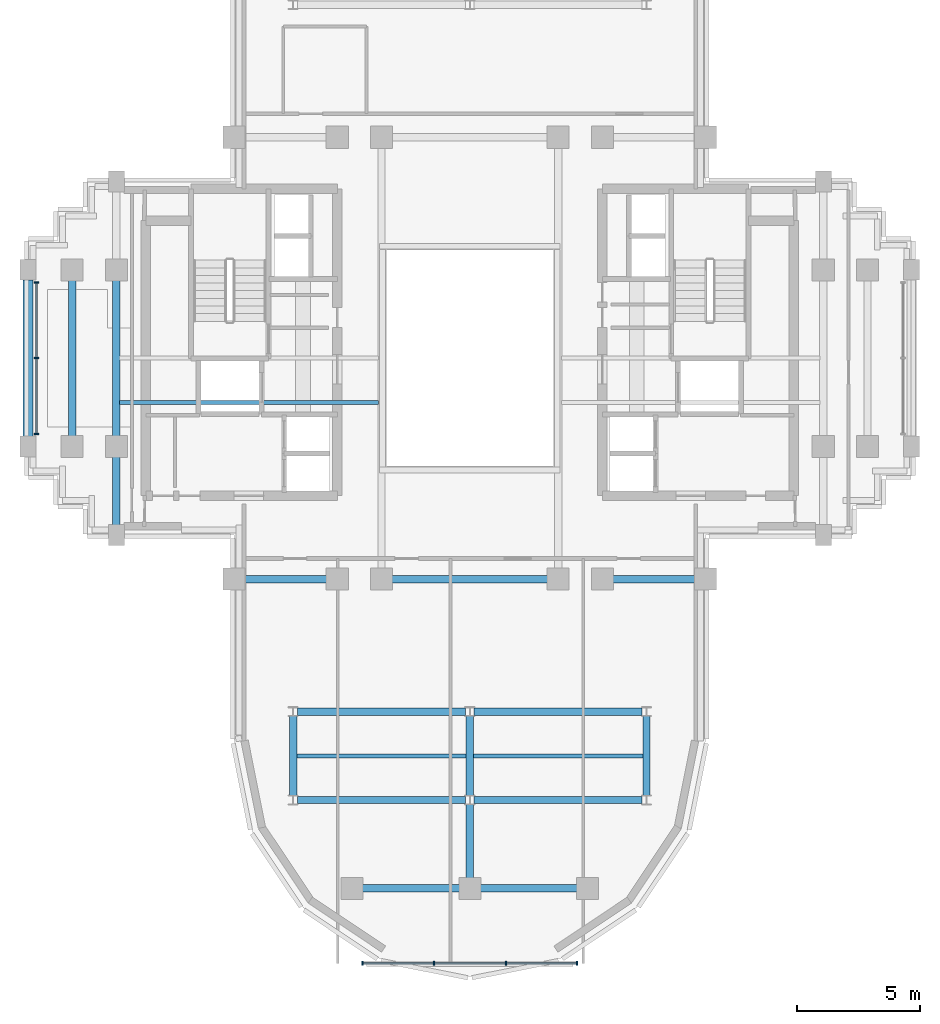
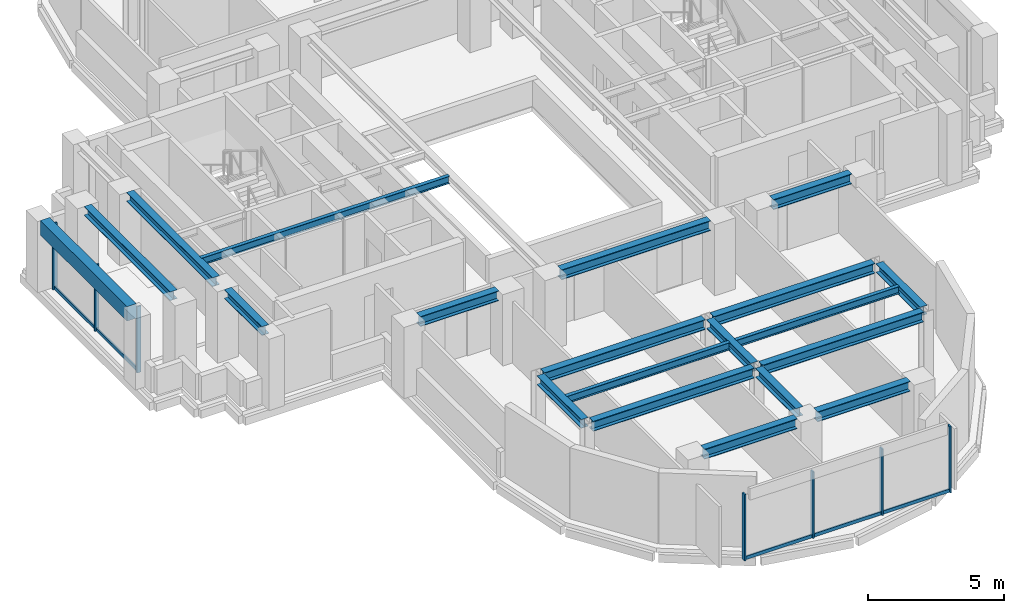
# One storey, part 2 of 11: 20 beams, 12 members, 2 elements without a shape of their own.
"""IFC4 building model written with IfcOpenShell, lengths in metres."""

from ifc_helpers import new_model, si_unit, direction, frame, origin, origin_2d, place, context, subcontext, project, spatial, rectangle, i_section, extrude, source, transform, mapped, material, material_profile, profile_set, type_object, element, aggregate, save


model = new_model("IFC4")

# Units and contexts
model_context = context("Model", 3, precision=1e-05, world=origin(), true_north=direction((0.0, 1.0)))
body_context = subcontext(model_context, "Body", "Model", "MODEL_VIEW")
ifc_project = project(units=[si_unit("LENGTHUNIT", "METRE"), si_unit("AREAUNIT", "SQUARE_METRE"), si_unit("VOLUMEUNIT", "CUBIC_METRE"), si_unit("PLANEANGLEUNIT", "RADIAN"), si_unit("MASSUNIT", "GRAM", prefix="KILO")], contexts=[model_context])

# Site, building, storey
site_placement = place(None, origin())
site = spatial("IfcSite", under=ifc_project, at=site_placement, CompositionType="ELEMENT")
building_placement = place(site_placement, origin())
building = spatial("IfcBuilding", under=site, at=building_placement, Name="Keilestroom Media Tower", CompositionType="ELEMENT")
storey_placement = place(building_placement, frame((0.0, 0.0, 160.39990234375)))
storey = spatial("IfcBuildingStorey", under=building, at=storey_placement, Name="L43", CompositionType="ELEMENT", Elevation=160.39990234375)

# Beams
ifc_material_1 = material(Name="Steel S355", Category="steel")
ifc_material_profile_1 = material_profile(ifc_material_1, i_section(OverallWidth=0.300048828125, OverallDepth=0.449951171875, WebThickness=0.011962890625, FlangeThickness=0.02587890625, at=origin_2d()), Name="HEB 450")
ifc_profile_set_1 = profile_set([ifc_material_profile_1], Name="Steel S355")
beam_type_1 = type_object("IfcBeamType", Name="Primary-Structural-Girder-HEB-450", PredefinedType="BEAM", material=ifc_profile_set_1)
shared_shape_1 = source(origin(), body_context, "Body", "SweptSolid", [
    extrude(i_section(OverallWidth=0.300048828125, OverallDepth=0.449951171875, WebThickness=0.011962890625, FlangeThickness=0.02587890625, at=origin_2d()), origin(), (0.0, 0.0, 1.0), 3.940185546875),
])
for number, where, z_axis, x_axis, name in (
    (1, (-4.3701171875, -21.60009765625, 2.97509765625), (1.0, 0.0, 0.0), (0.0, 1.0, 0.0), "L43 Beam BG-7 BM-L43-EW-001"),
    (2, (0.429931640625, -21.60009765625, 2.97509765625), (1.0, 0.0, 0.0), (0.0, 1.0, 0.0), "L43 Beam BG-7 BM-L43-EW-002"),
):
    element("IfcBeam", number, at=place(storey_placement, frame(where, z_axis=z_axis, x_axis=x_axis)), inside=storey, type_object=beam_type_1, Name=name, PredefinedType="BEAM", context=body_context, shape_type="MappedRepresentation", body=[
        mapped(shared_shape_1, transform((0.0, 0.0, 0.0), x_axis=(1.0, 0.0, 0.0), y_axis=(0.0, 1.0, 0.0), z_axis=(0.0, 0.0, 1.0), scale=1.0)),
    ])
shared_shape_2 = source(origin(), body_context, "Body", "SweptSolid", [
    extrude(i_section(OverallWidth=0.300048828125, OverallDepth=0.449951171875, WebThickness=0.011962890625, FlangeThickness=0.02587890625, at=origin_2d()), origin(), (0.0, 0.0, 1.0), 6.842041015625),
])
for number, where, z_axis, x_axis, name in (
    (3, (-7.02099609375, -18.0, 2.97509765625), (1.0, 0.0, 0.0), (0.0, 1.0, 0.0), "L43 Beam BG-7 BM-L43-EW-003"),
    (4, (0.178955078125, -18.0, 2.97509765625), (1.0, 0.0, 0.0), (0.0, 1.0, 0.0), "L43 Beam BG-7 BM-L43-EW-004"),
    (5, (-7.02099609375, -14.39990234375, 2.97509765625), (1.0, 0.0, 0.0), (0.0, 1.0, 0.0), "L43 Beam BG-7 BM-L43-EW-005"),
    (6, (0.178955078125, -14.39990234375, 2.97509765625), (1.0, 0.0, 0.0), (0.0, 1.0, 0.0), "L43 Beam BG-7 BM-L43-EW-006"),
):
    element("IfcBeam", number, at=place(storey_placement, frame(where, z_axis=z_axis, x_axis=x_axis)), inside=storey, type_object=beam_type_1, Name=name, PredefinedType="BEAM", context=body_context, shape_type="MappedRepresentation", body=[
        mapped(shared_shape_2, transform((0.0, 0.0, 0.0), x_axis=(1.0, 0.0, 0.0), y_axis=(0.0, 1.0, 0.0), z_axis=(0.0, 0.0, 1.0), scale=1.0)),
    ])
shared_shape_3 = source(origin(), body_context, "Body", "SweptSolid", [
    extrude(i_section(OverallWidth=0.300048828125, OverallDepth=0.449951171875, WebThickness=0.011962890625, FlangeThickness=0.02587890625, at=origin_2d()), origin(), (0.0, 0.0, 1.0), 3.33984375),
])
for number, where, z_axis, x_axis, name in (
    (7, (-9.169921875, -9.0, 2.97509765625), (1.0, 0.0, 0.0), (0.0, 1.0, 0.0), "L43 Beam BG-7 BM-L43-EW-007"),
    (8, (5.830078125, -9.0, 2.97509765625), (1.0, 0.0, 0.0), (0.0, 1.0, 0.0), "L43 Beam BG-7 BM-L43-EW-011"),
):
    element("IfcBeam", number, at=place(storey_placement, frame(where, z_axis=z_axis, x_axis=x_axis)), inside=storey, type_object=beam_type_1, Name=name, PredefinedType="BEAM", context=body_context, shape_type="MappedRepresentation", body=[
        mapped(shared_shape_3, transform((0.0, 0.0, 0.0), x_axis=(1.0, 0.0, 0.0), y_axis=(0.0, 1.0, 0.0), z_axis=(0.0, 0.0, 1.0), scale=1.0)),
    ])
shared_shape_4 = source(origin(), body_context, "Body", "SweptSolid", [
    extrude(i_section(OverallWidth=0.300048828125, OverallDepth=0.449951171875, WebThickness=0.011962890625, FlangeThickness=0.02587890625, at=origin_2d()), origin(), (0.0, 0.0, 1.0), 6.33984375),
])
beam_1_placement = place(storey_placement, frame((-3.169921875, -9.0, 2.97509765625), z_axis=(1.0, 0.0, 0.0), x_axis=(0.0, 1.0, 0.0)))
element("IfcBeam", 9, at=beam_1_placement, inside=storey, type_object=beam_type_1, Name="L43 Beam BG-7 BM-L43-EW-009", PredefinedType="BEAM", context=body_context, shape_type="MappedRepresentation", body=[
    mapped(shared_shape_4, transform((0.0, 0.0, 0.0), x_axis=(1.0, 0.0, 0.0), y_axis=(0.0, 1.0, 0.0), z_axis=(0.0, 0.0, 1.0), scale=1.0)),
])
ifc_material_2 = material(Name="Precast concrete C40/50", Category="concrete")
ifc_material_profile_2 = material_profile(ifc_material_2, rectangle(XDim=0.39990234375, YDim=0.64990234375, at=origin_2d()), Name="PC 400x650")
ifc_profile_set_2 = profile_set([ifc_material_profile_2], Name="Precast concrete C40/50")
beam_type_2 = type_object("IfcBeamType", Name="Perimeter-Spandrel-Beam-PC-400x650", PredefinedType="SPANDREL", material=ifc_profile_set_2)
shared_shape_5 = source(origin(), body_context, "Body", "SweptSolid", [
    extrude(rectangle(XDim=0.39990234375, YDim=0.64990234375, at=origin_2d()), origin(), (0.0, 0.0, 1.0), 6.39013671875),
])
beam_2_placement = place(storey_placement, frame((-18.0, -3.195068359375, 2.875), z_axis=(0.0, 1.0, 0.0), x_axis=(-1.0, 0.0, 0.0)))
element("IfcBeam", 10, at=beam_2_placement, inside=storey, type_object=beam_type_2, Name="L43 Beam SPB-2 BM-L43-NS-031", PredefinedType="SPANDREL", context=body_context, shape_type="MappedRepresentation", body=[
    mapped(shared_shape_5, transform((0.0, 0.0, 0.0), x_axis=(1.0, 0.0, 0.0), y_axis=(0.0, 1.0, 0.0), z_axis=(0.0, 0.0, 1.0), scale=1.0)),
])
ifc_material_profile_3 = material_profile(ifc_material_1, i_section(OverallWidth=0.300048828125, OverallDepth=0.39990234375, WebThickness=0.011474609375, FlangeThickness=0.02392578125, at=origin_2d()), Name="HEB 400")
ifc_profile_set_3 = profile_set([ifc_material_profile_3], Name="Steel S355")
beam_type_3 = type_object("IfcBeamType", Name="Primary-Structural-Girder-HEB-400", PredefinedType="BEAM", material=ifc_profile_set_3)
shared_shape_6 = source(origin(), body_context, "Body", "SweptSolid", [
    extrude(i_section(OverallWidth=0.300048828125, OverallDepth=0.39990234375, WebThickness=0.011474609375, FlangeThickness=0.02392578125, at=origin_2d()), origin(), (0.0, 0.0, 1.0), 6.33984375),
])
for number, where, z_axis, x_axis, name in (
    (11, (-16.199951171875, -3.169921875, 3.0), (0.0, 1.0, 0.0), (-1.0, 0.0, 0.0), "L43 Beam BG-8 BM-L43-NS-032"),
    (12, (-14.39990234375, -3.169921875, 3.0), (0.0, 1.0, 0.0), (-1.0, 0.0, 0.0), "L43 Beam BG-8 BM-L43-NS-034"),
):
    element("IfcBeam", number, at=place(storey_placement, frame(where, z_axis=z_axis, x_axis=x_axis)), inside=storey, type_object=beam_type_3, Name=name, PredefinedType="BEAM", context=body_context, shape_type="MappedRepresentation", body=[
        mapped(shared_shape_6, transform((0.0, 0.0, 0.0), x_axis=(1.0, 0.0, 0.0), y_axis=(0.0, 1.0, 0.0), z_axis=(0.0, 0.0, 1.0), scale=1.0)),
    ])
shared_shape_7 = source(origin(), body_context, "Body", "SweptSolid", [
    extrude(i_section(OverallWidth=0.300048828125, OverallDepth=0.39990234375, WebThickness=0.011474609375, FlangeThickness=0.02392578125, at=origin_2d()), origin(), (0.0, 0.0, 1.0), 2.764892578125),
])
beam_3_placement = place(storey_placement, frame((-14.39990234375, -6.794921875, 3.0), z_axis=(0.0, 1.0, 0.0), x_axis=(-1.0, 0.0, 0.0)))
element("IfcBeam", 13, at=beam_3_placement, inside=storey, type_object=beam_type_3, Name="L43 Beam BG-8 BM-L43-NS-033", PredefinedType="BEAM", context=body_context, shape_type="MappedRepresentation", body=[
    mapped(shared_shape_7, transform((0.0, 0.0, 0.0), x_axis=(1.0, 0.0, 0.0), y_axis=(0.0, 1.0, 0.0), z_axis=(0.0, 0.0, 1.0), scale=1.0)),
])
shared_shape_8 = source(origin(), body_context, "Body", "SweptSolid", [
    extrude(i_section(OverallWidth=0.300048828125, OverallDepth=0.39990234375, WebThickness=0.011474609375, FlangeThickness=0.02392578125, at=origin_2d()), origin(), (0.0, 0.0, 1.0), 3.2529296875),
])
for number, where, z_axis, x_axis, name in (
    (14, (-7.199951171875, -17.826416015625, 3.0), (0.0, 1.0, 0.0), (-1.0, 0.0, 0.0), "L43 Beam BG-8 BM-L43-NS-037"),
    (15, (0.0, -17.826416015625, 3.0), (0.0, 1.0, 0.0), (-1.0, 0.0, 0.0), "L43 Beam BG-8 BM-L43-NS-042"),
    (16, (7.199951171875, -17.826416015625, 3.0), (0.0, 1.0, 0.0), (-1.0, 0.0, 0.0), "L43 Beam BG-8 BM-L43-NS-047"),
):
    element("IfcBeam", number, at=place(storey_placement, frame(where, z_axis=z_axis, x_axis=x_axis)), inside=storey, type_object=beam_type_3, Name=name, PredefinedType="BEAM", context=body_context, shape_type="MappedRepresentation", body=[
        mapped(shared_shape_8, transform((0.0, 0.0, 0.0), x_axis=(1.0, 0.0, 0.0), y_axis=(0.0, 1.0, 0.0), z_axis=(0.0, 0.0, 1.0), scale=1.0)),
    ])
shared_shape_9 = source(origin(), body_context, "Body", "SweptSolid", [
    extrude(i_section(OverallWidth=0.300048828125, OverallDepth=0.39990234375, WebThickness=0.011474609375, FlangeThickness=0.02392578125, at=origin_2d()), origin(), (0.0, 0.0, 1.0), 2.996337890625),
])
beam_4_placement = place(storey_placement, frame((0.0, -21.169921875, 3.0), z_axis=(0.0, 1.0, 0.0), x_axis=(-1.0, 0.0, 0.0)))
element("IfcBeam", 17, at=beam_4_placement, inside=storey, type_object=beam_type_3, Name="L43 Beam BG-8 BM-L43-NS-041", PredefinedType="BEAM", context=body_context, shape_type="MappedRepresentation", body=[
    mapped(shared_shape_9, transform((0.0, 0.0, 0.0), x_axis=(1.0, 0.0, 0.0), y_axis=(0.0, 1.0, 0.0), z_axis=(0.0, 0.0, 1.0), scale=1.0)),
])
ifc_material_profile_4 = material_profile(ifc_material_1, i_section(OverallWidth=0.159912109375, OverallDepth=0.330078125, WebThickness=0.007568359375, FlangeThickness=0.011474609375, at=origin_2d()), Name="IPE 330")
ifc_profile_set_4 = profile_set([ifc_material_profile_4], Name="Steel S355")
beam_type_4 = type_object("IfcBeamType", Name="Secondary-Floor-Joist-IPE-330", PredefinedType="JOIST", material=ifc_profile_set_4)
shared_shape_10 = source(origin(), body_context, "Body", "SweptSolid", [
    extrude(i_section(OverallWidth=0.159912109375, OverallDepth=0.330078125, WebThickness=0.007568359375, FlangeThickness=0.011474609375, at=origin_2d()), origin(), (0.0, 0.0, 1.0), 6.940185546875),
])
for number, where, z_axis, x_axis, name in (
    (18, (-7.070068359375, -16.199951171875, 3.03515625), (1.0, 0.0, 0.0), (0.0, 1.0, 0.0), "L43 Beam BJ-6 JST-L43-055"),
    (19, (0.1298828125, -16.199951171875, 3.03515625), (1.0, 0.0, 0.0), (0.0, 1.0, 0.0), "L43 Beam BJ-6 JST-L43-056"),
):
    element("IfcBeam", number, at=place(storey_placement, frame(where, z_axis=z_axis, x_axis=x_axis)), inside=storey, type_object=beam_type_4, Name=name, PredefinedType="JOIST", context=body_context, shape_type="MappedRepresentation", body=[
        mapped(shared_shape_10, transform((0.0, 0.0, 0.0), x_axis=(1.0, 0.0, 0.0), y_axis=(0.0, 1.0, 0.0), z_axis=(0.0, 0.0, 1.0), scale=1.0)),
    ])
shared_shape_11 = source(origin(), body_context, "Body", "SweptSolid", [
    extrude(i_section(OverallWidth=0.159912109375, OverallDepth=0.330078125, WebThickness=0.007568359375, FlangeThickness=0.011474609375, at=origin_2d()), origin(), (0.0, 0.0, 1.0), 10.5400390625),
])
beam_5_placement = place(storey_placement, frame((-14.27001953125, -1.800048828125, 3.03515625), z_axis=(1.0, 0.0, 0.0), x_axis=(0.0, 1.0, 0.0)))
element("IfcBeam", 20, at=beam_5_placement, inside=storey, type_object=beam_type_4, Name="L43 Beam BJ-6 JST-L43-057", PredefinedType="JOIST", context=body_context, shape_type="MappedRepresentation", body=[
    mapped(shared_shape_11, transform((0.0, 0.0, 0.0), x_axis=(1.0, 0.0, 0.0), y_axis=(0.0, 1.0, 0.0), z_axis=(0.0, 0.0, 1.0), scale=1.0)),
])

# Curtain wall, members
ifc_material_3 = material(Name="Anodised Aluminium Alloy", Category="aluminium")
curtain_wall_type_1 = type_object("IfcCurtainWallType", Name="Unitised-Curtain-Wall-CW-6", PredefinedType="NOTDEFINED", material=ifc_material_3)
curtain_wall_1_placement = place(storey_placement, origin())
curtain_wall_1 = element("IfcCurtainWall", 21, at=curtain_wall_1_placement, inside=storey, type_object=curtain_wall_type_1, Name="L43 Curtain Wall CW-6 CW-L43-LS-1", PredefinedType="NOTDEFINED")
ifc_material_profile_5 = material_profile(ifc_material_3, rectangle(XDim=0.06494140625, YDim=0.179931640625, at=origin_2d()), Name="ALU MULLION 65x180")
ifc_profile_set_5 = profile_set([ifc_material_profile_5], Name="Anodised Aluminium Alloy")
member_type_1 = type_object("IfcMemberType", Name="Curtain-Wall-Mullion-CW-6", PredefinedType="MULLION", material=ifc_profile_set_5)
shared_shape_12 = source(origin(), body_context, "Body", "SweptSolid", [
    extrude(rectangle(XDim=0.06494140625, YDim=0.179931640625, at=origin_2d()), origin(), (0.0, 0.0, 1.0), 2.97998046875),
])
member_1_placement = place(storey_placement, frame((-4.367431640625, -24.64990234375, 0.0), z_axis=(0.0, 0.0, 1.0), x_axis=(1.0, 0.0, 0.0)))
member_1 = element("IfcMember", 22, at=member_1_placement, type_object=member_type_1, Name="CW-6 Mullion 00", PredefinedType="MULLION", context=body_context, shape_type="MappedRepresentation", body=[
    mapped(shared_shape_12, transform((0.0, 0.0, 0.0), x_axis=(1.0, 0.0, 0.0), y_axis=(0.0, 1.0, 0.0), z_axis=(0.0, 0.0, 1.0), scale=1.0)),
])
member_2_placement = place(storey_placement, frame((-1.466796875, -24.64990234375, 0.0), z_axis=(0.0, 0.0, 1.0), x_axis=(1.0, 0.0, 0.0)))
member_2 = element("IfcMember", 23, at=member_2_placement, type_object=member_type_1, Name="CW-6 Mullion 01", PredefinedType="MULLION", context=body_context, shape_type="MappedRepresentation", body=[
    mapped(shared_shape_12, transform((0.0, 0.0, 0.0), x_axis=(1.0, 0.0, 0.0), y_axis=(0.0, 1.0, 0.0), z_axis=(0.0, 0.0, 1.0), scale=1.0)),
])
member_3_placement = place(storey_placement, frame((1.466796875, -24.64990234375, 0.0), z_axis=(0.0, 0.0, 1.0), x_axis=(1.0, 0.0, 0.0)))
member_3 = element("IfcMember", 24, at=member_3_placement, type_object=member_type_1, Name="CW-6 Mullion 02", PredefinedType="MULLION", context=body_context, shape_type="MappedRepresentation", body=[
    mapped(shared_shape_12, transform((0.0, 0.0, 0.0), x_axis=(1.0, 0.0, 0.0), y_axis=(0.0, 1.0, 0.0), z_axis=(0.0, 0.0, 1.0), scale=1.0)),
])
member_4_placement = place(storey_placement, frame((4.367431640625, -24.64990234375, 0.0), z_axis=(0.0, 0.0, 1.0), x_axis=(1.0, 0.0, 0.0)))
member_4 = element("IfcMember", 25, at=member_4_placement, type_object=member_type_1, Name="CW-6 Mullion 03", PredefinedType="MULLION", context=body_context, shape_type="MappedRepresentation", body=[
    mapped(shared_shape_12, transform((0.0, 0.0, 0.0), x_axis=(1.0, 0.0, 0.0), y_axis=(0.0, 1.0, 0.0), z_axis=(0.0, 0.0, 1.0), scale=1.0)),
])
ifc_material_profile_6 = material_profile(ifc_material_3, rectangle(XDim=0.06494140625, YDim=0.14990234375, at=origin_2d()), Name="ALU TRANSOM 65x150")
ifc_profile_set_6 = profile_set([ifc_material_profile_6], Name="Anodised Aluminium Alloy")
member_type_2 = type_object("IfcMemberType", Name="Curtain-Wall-Transom-CW-6", PredefinedType="USERDEFINED", material=ifc_profile_set_6)
shared_shape_13 = source(origin(), body_context, "Body", "SweptSolid", [
    extrude(rectangle(XDim=0.06494140625, YDim=0.14990234375, at=origin_2d()), origin(), (0.0, 0.0, 1.0), 2.839599609375),
])
member_5_placement = place(storey_placement, frame((-4.3369140625, -24.64990234375, 0.0751953125), z_axis=(1.0, 0.0, 0.0), x_axis=(0.0, 1.0, 0.0)))
member_5 = element("IfcMember", 26, at=member_5_placement, type_object=member_type_2, Name="CW-6 Transom 00.1", ObjectType="TRANSOM", PredefinedType="USERDEFINED", context=body_context, shape_type="MappedRepresentation", body=[
    mapped(shared_shape_13, transform((0.0, 0.0, 0.0), x_axis=(1.0, 0.0, 0.0), y_axis=(0.0, 1.0, 0.0), z_axis=(0.0, 0.0, 1.0), scale=1.0)),
])
member_6_placement = place(storey_placement, frame((1.497314453125, -24.64990234375, 0.0751953125), z_axis=(1.0, 0.0, 0.0), x_axis=(0.0, 1.0, 0.0)))
member_6 = element("IfcMember", 27, at=member_6_placement, type_object=member_type_2, Name="CW-6 Transom 02.1", ObjectType="TRANSOM", PredefinedType="USERDEFINED", context=body_context, shape_type="MappedRepresentation", body=[
    mapped(shared_shape_13, transform((0.0, 0.0, 0.0), x_axis=(1.0, 0.0, 0.0), y_axis=(0.0, 1.0, 0.0), z_axis=(0.0, 0.0, 1.0), scale=1.0)),
])
shared_shape_14 = source(origin(), body_context, "Body", "SweptSolid", [
    extrude(rectangle(XDim=0.06494140625, YDim=0.14990234375, at=origin_2d()), origin(), (0.0, 0.0, 1.0), 2.87255859375),
])
member_7_placement = place(storey_placement, frame((-1.436279296875, -24.64990234375, 0.0751953125), z_axis=(1.0, 0.0, 0.0), x_axis=(0.0, 1.0, 0.0)))
member_7 = element("IfcMember", 28, at=member_7_placement, type_object=member_type_2, Name="CW-6 Transom 01.1", ObjectType="TRANSOM", PredefinedType="USERDEFINED", context=body_context, shape_type="MappedRepresentation", body=[
    mapped(shared_shape_14, transform((0.0, 0.0, 0.0), x_axis=(1.0, 0.0, 0.0), y_axis=(0.0, 1.0, 0.0), z_axis=(0.0, 0.0, 1.0), scale=1.0)),
])
aggregate(curtain_wall_1, [member_1, member_2, member_3, member_4, member_5, member_7, member_6])

curtain_wall_type_2 = type_object("IfcCurtainWallType", Name="Unitised-Curtain-Wall-CW-3", PredefinedType="NOTDEFINED", material=ifc_material_3)
curtain_wall_2_placement = place(storey_placement, origin())
curtain_wall_2 = element("IfcCurtainWall", 29, at=curtain_wall_2_placement, inside=storey, type_object=curtain_wall_type_2, Name="L43 Curtain Wall CW-3 CW-L43-W-1", PredefinedType="NOTDEFINED")
ifc_material_profile_7 = material_profile(ifc_material_3, rectangle(XDim=0.06494140625, YDim=0.179931640625, at=origin_2d()), Name="ALU MULLION 65x180")
ifc_profile_set_7 = profile_set([ifc_material_profile_7], Name="Anodised Aluminium Alloy")
member_type_3 = type_object("IfcMemberType", Name="Curtain-Wall-Mullion-CW-3", PredefinedType="MULLION", material=ifc_profile_set_7)
shared_shape_15 = source(origin(), body_context, "Body", "SweptSolid", [
    extrude(rectangle(XDim=0.06494140625, YDim=0.179931640625, at=origin_2d()), origin(), (0.0, 0.0, 1.0), 2.97998046875),
])
member_8_placement = place(storey_placement, frame((-17.64990234375, -3.08251953125, 0.0), z_axis=(0.0, 0.0, 1.0), x_axis=(0.0, 1.0, 0.0)))
member_8 = element("IfcMember", 30, at=member_8_placement, type_object=member_type_3, Name="CW-3 Mullion 00", PredefinedType="MULLION", context=body_context, shape_type="MappedRepresentation", body=[
    mapped(shared_shape_15, transform((0.0, 0.0, 0.0), x_axis=(1.0, 0.0, 0.0), y_axis=(0.0, 1.0, 0.0), z_axis=(0.0, 0.0, 1.0), scale=1.0)),
])
member_9_placement = place(storey_placement, frame((-17.64990234375, 0.0, 0.0), z_axis=(0.0, 0.0, 1.0), x_axis=(0.0, 1.0, 0.0)))
member_9 = element("IfcMember", 31, at=member_9_placement, type_object=member_type_3, Name="CW-3 Mullion 01", PredefinedType="MULLION", context=body_context, shape_type="MappedRepresentation", body=[
    mapped(shared_shape_15, transform((0.0, 0.0, 0.0), x_axis=(1.0, 0.0, 0.0), y_axis=(0.0, 1.0, 0.0), z_axis=(0.0, 0.0, 1.0), scale=1.0)),
])
member_10_placement = place(storey_placement, frame((-17.64990234375, 3.08251953125, 0.0), z_axis=(0.0, 0.0, 1.0), x_axis=(0.0, 1.0, 0.0)))
member_10 = element("IfcMember", 32, at=member_10_placement, type_object=member_type_3, Name="CW-3 Mullion 02", PredefinedType="MULLION", context=body_context, shape_type="MappedRepresentation", body=[
    mapped(shared_shape_15, transform((0.0, 0.0, 0.0), x_axis=(1.0, 0.0, 0.0), y_axis=(0.0, 1.0, 0.0), z_axis=(0.0, 0.0, 1.0), scale=1.0)),
])
ifc_material_profile_8 = material_profile(ifc_material_3, rectangle(XDim=0.06494140625, YDim=0.14990234375, at=origin_2d()), Name="ALU TRANSOM 65x150")
ifc_profile_set_8 = profile_set([ifc_material_profile_8], Name="Anodised Aluminium Alloy")
member_type_4 = type_object("IfcMemberType", Name="Curtain-Wall-Transom-CW-3", PredefinedType="USERDEFINED", material=ifc_profile_set_8)
shared_shape_16 = source(origin(), body_context, "Body", "SweptSolid", [
    extrude(rectangle(XDim=0.06494140625, YDim=0.14990234375, at=origin_2d()), origin(), (0.0, 0.0, 1.0), 3.021484375),
])
member_11_placement = place(storey_placement, frame((-17.64990234375, -3.052001953125, 0.0751953125), z_axis=(0.0, 1.0, 0.0), x_axis=(-1.0, 0.0, 0.0)))
member_11 = element("IfcMember", 33, at=member_11_placement, type_object=member_type_4, Name="CW-3 Transom 00.1", ObjectType="TRANSOM", PredefinedType="USERDEFINED", context=body_context, shape_type="MappedRepresentation", body=[
    mapped(shared_shape_16, transform((0.0, 0.0, 0.0), x_axis=(1.0, 0.0, 0.0), y_axis=(0.0, 1.0, 0.0), z_axis=(0.0, 0.0, 1.0), scale=1.0)),
])
member_12_placement = place(storey_placement, frame((-17.64990234375, 0.030517578125, 0.0751953125), z_axis=(0.0, 1.0, 0.0), x_axis=(-1.0, 0.0, 0.0)))
member_12 = element("IfcMember", 34, at=member_12_placement, type_object=member_type_4, Name="CW-3 Transom 01.1", ObjectType="TRANSOM", PredefinedType="USERDEFINED", context=body_context, shape_type="MappedRepresentation", body=[
    mapped(shared_shape_16, transform((0.0, 0.0, 0.0), x_axis=(1.0, 0.0, 0.0), y_axis=(0.0, 1.0, 0.0), z_axis=(0.0, 0.0, 1.0), scale=1.0)),
])
aggregate(curtain_wall_2, [member_8, member_9, member_10, member_11, member_12])

save(model, "model.ifc")
